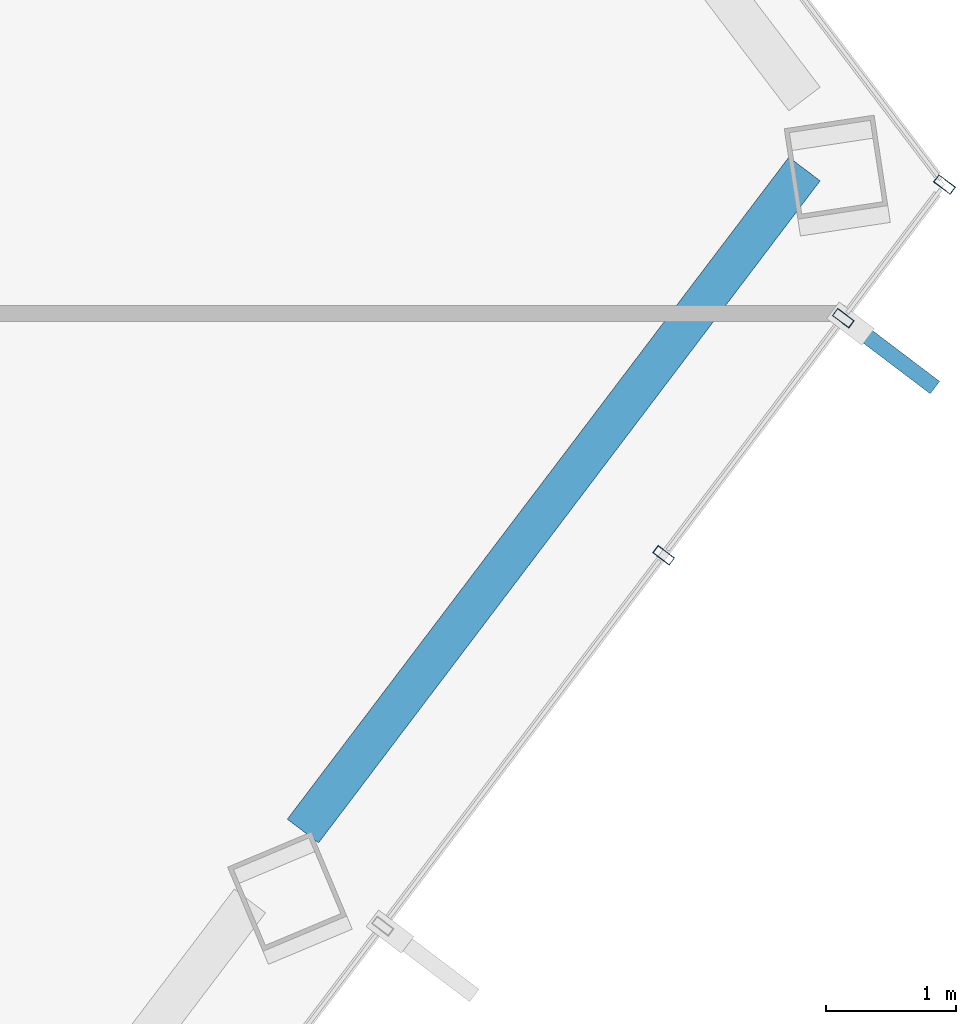
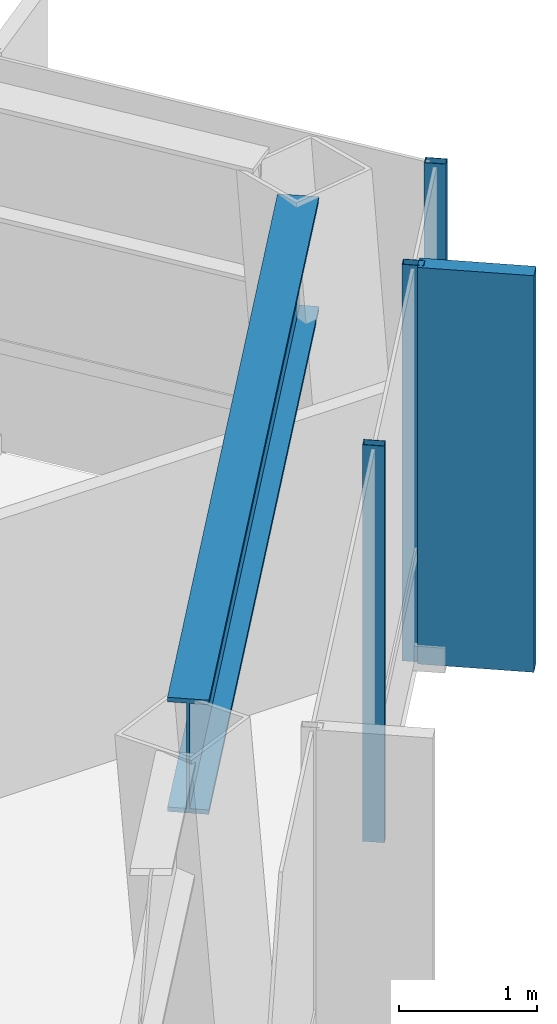
# One storey, part 20 of 27: 4 members, 1 beam, 1 element without a shape of its own.
"""IFC4 building model written with IfcOpenShell, lengths in metres."""

from ifc_helpers import new_model, si_unit, direction, frame, origin, origin_2d, place, context, subcontext, project, spatial, rectangle, hollow_rectangle, i_section, extrude, material, layer, layer_set, material_profile, profile_set, type_object, element, aggregate, save


model = new_model("IFC4")

# Units and contexts
model_context = context("Model", 3, precision=1e-05, world=origin(), true_north=direction((0.0, 1.0)))
body_context = subcontext(model_context, "Body", "Model", "MODEL_VIEW")
ifc_project = project(units=[si_unit("LENGTHUNIT", "METRE"), si_unit("AREAUNIT", "SQUARE_METRE"), si_unit("VOLUMEUNIT", "CUBIC_METRE"), si_unit("PLANEANGLEUNIT", "RADIAN"), si_unit("MASSUNIT", "GRAM", prefix="KILO")], contexts=[model_context])

# Site, building, storey
site_placement = place(None, origin())
site = spatial("IfcSite", under=ifc_project, at=site_placement, CompositionType="ELEMENT")
building_placement = place(site_placement, origin())
building = spatial("IfcBuilding", under=site, at=building_placement, Name="Zarrinselat Tower", CompositionType="ELEMENT")
storey_placement = place(building_placement, frame((0.0, 0.0, 183.260009765625)))
storey = spatial("IfcBuildingStorey", under=building, at=storey_placement, Name="L45", CompositionType="ELEMENT", Elevation=183.260009765625)

# Beam
ifc_material_1 = material(Name="Steel S460M", Category="steel")
ifc_material_profile_1 = material_profile(ifc_material_1, i_section(OverallWidth=0.302001953125, OverallDepth=1.008056640625, WebThickness=0.02099609375, FlangeThickness=0.0400390625, at=origin_2d()), Name="HEM 1000")
ifc_profile_set_1 = profile_set([ifc_material_profile_1], Name="Steel S460M")
beam_type = type_object("IfcBeamType", Name="BM-HEM1000", PredefinedType="BEAM", material=ifc_profile_set_1)
beam_placement = place(storey_placement, frame((58.123291015625, 35.42041015625, 2.99609375), z_axis=(0.603870915657, 0.797082127025, 0.0), x_axis=(-0.797082127025, 0.603870915657, 0.0)))
element("IfcBeam", 1, at=beam_placement, inside=storey, type_object=beam_type, Name="L45 Perimeter Spandrel Girder SP14", PredefinedType="BEAM", context=body_context, shape_type="SweptSolid", body=[
    extrude(i_section(OverallWidth=0.302001953125, OverallDepth=1.008056640625, WebThickness=0.02099609375, FlangeThickness=0.0400390625, at=origin_2d()), origin(), (0.0, 0.0, 1.0), 6.396240234375),
])

# Curtain wall, members
ifc_material_2 = material(Name="Extruded Aluminium Alloy EN AW-6063 T6", Category="aluminium")
ifc_layer = layer(ifc_material_2, 0.175048828125)
ifc_layer_set = layer_set([ifc_layer], Name="Extruded Aluminium Alloy EN AW-6063 T6")
curtain_wall_type = type_object("IfcCurtainWallType", Name="CWS-HTL", PredefinedType="NOTDEFINED", material=ifc_layer_set)
curtain_wall_placement = place(storey_placement, origin())
curtain_wall = element("IfcCurtainWall", 2, at=curtain_wall_placement, inside=storey, type_object=curtain_wall_type, Name="L45 Unitised Curtain Wall CW-L45-E05", PredefinedType="NOTDEFINED")
ifc_material_3 = material(Name="Extruded Aluminium Alloy EN AW-6063 T6", Category="aluminium")
ifc_material_profile_2 = material_profile(ifc_material_3, hollow_rectangle(XDim=0.070068359375, YDim=0.159912109375, WallThickness=0.00390625, at=origin_2d()), Name="RHS 160x70x4")
ifc_profile_set_2 = profile_set([ifc_material_profile_2], Name="Extruded Aluminium Alloy EN AW-6063 T6")
member_type_1 = type_object("IfcMemberType", Name="MEM-CW-MUL2", PredefinedType="MULLION", material=ifc_profile_set_2)
member_1_placement = place(storey_placement, frame((60.901123046875, 37.54345703125, 0.0), z_axis=(0.0, 0.0, 1.0), x_axis=(0.603859165965, 0.797091028478, 0.0)))
member_1 = element("IfcMember", 3, at=member_1_placement, type_object=member_type_1, Name="CW-L45-E05 Mullion 8", PredefinedType="MULLION", context=body_context, shape_type="SweptSolid", body=[
    extrude(hollow_rectangle(XDim=0.070068359375, YDim=0.159912109375, WallThickness=0.00390625, at=origin_2d()), origin(), (0.0, 0.0, 1.0), 3.5),
])
member_2_placement = place(storey_placement, frame((62.28466796875, 39.369873046875, 0.0), z_axis=(0.0, 0.0, 1.0), x_axis=(0.603859165965, 0.797091028478, 0.0)))
member_2 = element("IfcMember", 4, at=member_2_placement, type_object=member_type_1, Name="CW-L45-E05 Mullion 9", PredefinedType="MULLION", context=body_context, shape_type="SweptSolid", body=[
    extrude(hollow_rectangle(XDim=0.070068359375, YDim=0.159912109375, WallThickness=0.00390625, at=origin_2d()), origin(), (0.0, 0.0, 1.0), 3.5),
])
member_3_placement = place(storey_placement, frame((63.064208984375, 40.39892578125, 0.0), z_axis=(0.0, 0.0, 1.0), x_axis=(0.603859165965, 0.797091028478, 0.0)))
member_3 = element("IfcMember", 5, at=member_3_placement, type_object=member_type_1, Name="CW-L45-E05 Mullion 10", PredefinedType="MULLION", context=body_context, shape_type="SweptSolid", body=[
    extrude(hollow_rectangle(XDim=0.070068359375, YDim=0.159912109375, WallThickness=0.00390625, at=origin_2d()), origin(), (0.0, 0.0, 1.0), 3.5),
])
ifc_material_4 = material(Name="Honed Cream Travertine Stone", Category="masonry")
ifc_material_profile_3 = material_profile(ifc_material_4, rectangle(XDim=0.1201171875, YDim=0.85009765625, at=origin_2d()), Name="FIN 850x120")
ifc_profile_set_3 = profile_set([ifc_material_profile_3], Name="Honed Cream Travertine Stone")
member_type_2 = type_object("IfcMemberType", Name="MEM-STONE-FIN", PredefinedType="USERDEFINED", material=ifc_profile_set_3)
member_4_placement = place(storey_placement, frame((62.6513671875, 39.092041015625, 0.0), z_axis=(0.0, 0.0, 1.0), x_axis=(-0.603859165965, -0.797091028478, 0.0)))
member_4 = element("IfcMember", 6, at=member_4_placement, type_object=member_type_2, Name="L45 Stone Shading Fin CW-L45-E05-09", ObjectType="FIN", PredefinedType="USERDEFINED", context=body_context, shape_type="SweptSolid", body=[
    extrude(rectangle(XDim=0.1201171875, YDim=0.85009765625, at=origin_2d()), origin(), (0.0, 0.0, 1.0), 3.5),
])
aggregate(curtain_wall, [member_1, member_2, member_4, member_3])

save(model, "model.ifc")
